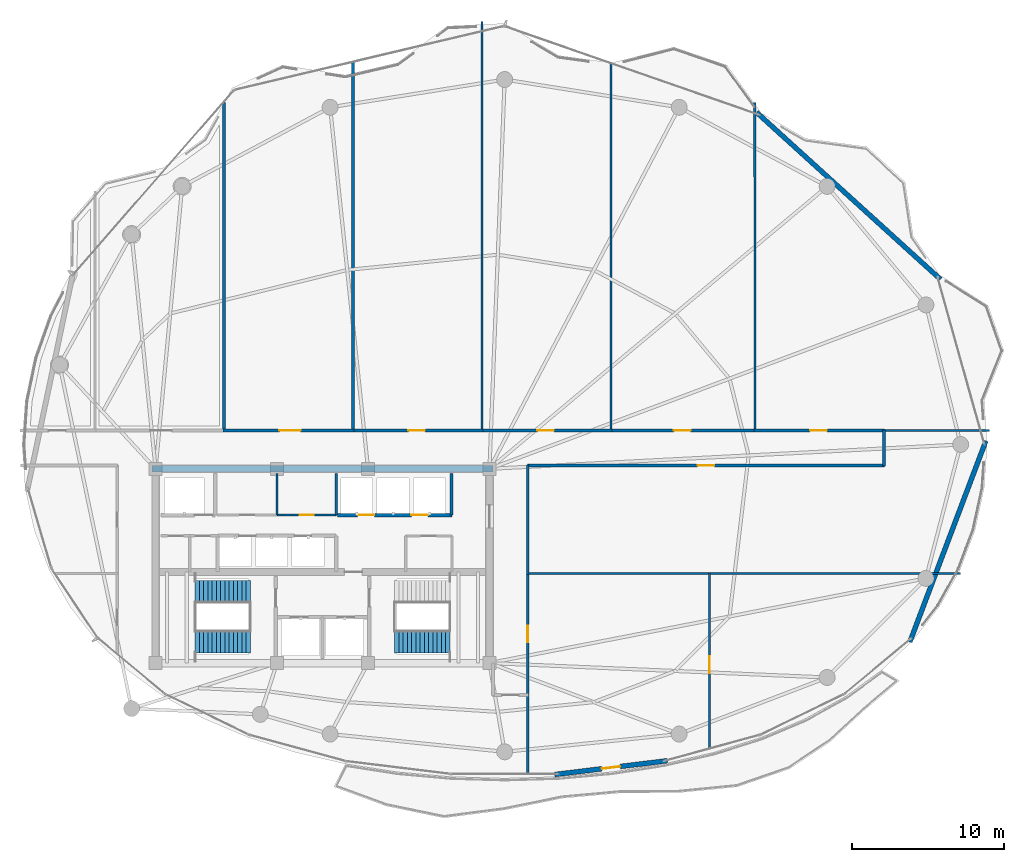
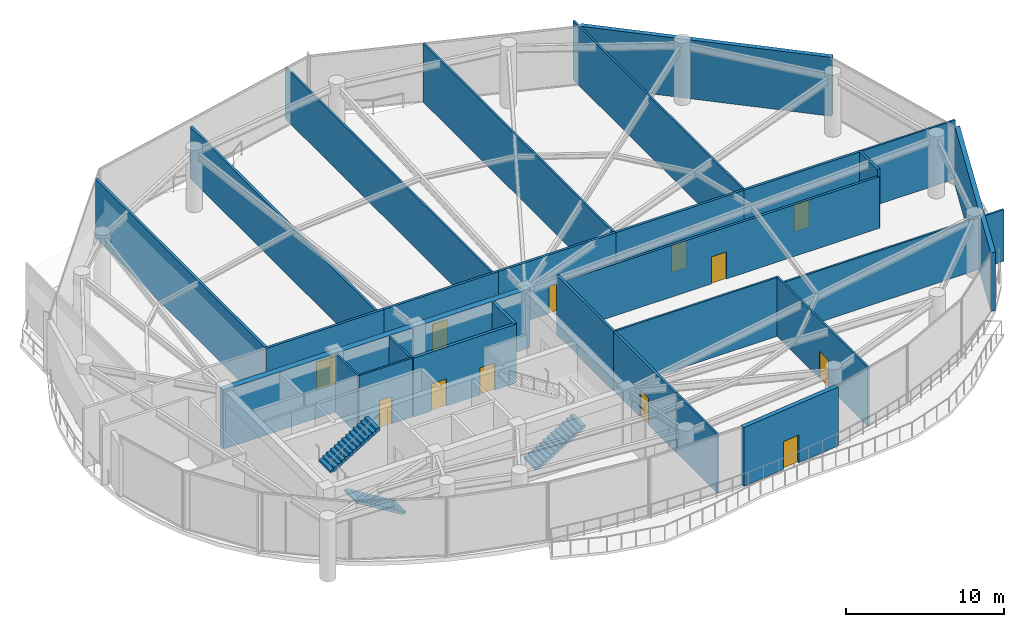
# One storey, part 24 of 28: 28 walls, 12 doors, 3 stair flights, 12 openings, 2 elements without a shape of their own.
"""IFC4 building model written with IfcOpenShell, lengths in metres."""

from ifc_helpers import new_model, si_unit, direction, frame, frame_2d, origin, place, context, subcontext, project, spatial, polyline, rectangle, outline, extrude, material, layer, layer_set, type_object, element, fill, aggregate, save


model = new_model("IFC4")

# Units and contexts
model_context = context("Model", 3, precision=1e-05, world=origin(), true_north=direction((0.0, 1.0)))
body_context = subcontext(model_context, "Body", "Model", "MODEL_VIEW")
ifc_project = project(units=[si_unit("LENGTHUNIT", "METRE"), si_unit("AREAUNIT", "SQUARE_METRE"), si_unit("VOLUMEUNIT", "CUBIC_METRE"), si_unit("PLANEANGLEUNIT", "RADIAN"), si_unit("MASSUNIT", "GRAM", prefix="KILO")], contexts=[model_context])

# Site, building, storey
site_placement = place(None, origin())
site = spatial("IfcSite", under=ifc_project, at=site_placement, CompositionType="ELEMENT")
building_placement = place(site_placement, origin())
building = spatial("IfcBuilding", under=site, at=building_placement, Name="Kazevale Care Tower and Concert Hall", CompositionType="ELEMENT")
storey_placement = place(building_placement, frame((0.0, 0.0, 190.800048828125)))
storey = spatial("IfcBuildingStorey", under=building, at=storey_placement, Name="L50", CompositionType="ELEMENT", Elevation=190.800048828125)

# Wall, opening, door
ifc_material_1 = material(Name="Acoustic Gypsum on Steel Stud", Category="steel")
ifc_layer_1 = layer(ifc_material_1, 0.139892578125)
ifc_layer_set_1 = layer_set([ifc_layer_1], Name="Acoustic Gypsum on Steel Stud")
wall_type_1 = type_object("IfcWallType", Name="Acoustic Care & Suite Partition 140", PredefinedType="PARTITIONING", material=ifc_layer_set_1)
wall_1_placement = place(storey_placement, frame((30.0, 33.35009765625, 0.0), z_axis=(0.0, 0.0, 1.0), x_axis=(1.0, 0.0, 0.0)))
wall_1 = element("IfcWall", 1, at=wall_1_placement, inside=storey, type_object=wall_type_1, Name="wall:L50:c_rpl2_s", PredefinedType="PARTITIONING", context=body_context, shape_type="SweptSolid", body=[
    extrude(rectangle(XDim=3.919921875, YDim=0.139892578125, at=frame_2d((1.9599609375, 0.0))), origin(), (0.0, 0.0, 1.0), 4.56005859375),
])
opening_1_placement = place(wall_1_placement, frame((1.5, 0.0, 0.0)))
opening_1 = element("IfcOpeningElement", 2, at=opening_1_placement, cuts=wall_1, Name="Opening ID-900", PredefinedType="OPENING", context=body_context, shape_type="SweptSolid", body=[
    extrude(rectangle(XDim=0.919921875, YDim=2.10009765625, at=frame_2d((0.4599609375, 1.050048828125))), frame((0.0, 0.079833984375, 0.0), z_axis=(0.0, -1.0, 0.0), x_axis=(1.0, 0.0, 0.0)), (0.0, 0.0, 1.0), 0.159912109375),
])
ifc_material_2 = material(Name="Oak Timber Fire Leaf", Category="wood")
door_type_1 = type_object("IfcDoorType", Name="Bathroom & Service Door 920x2100", OperationType="NOTDEFINED", PredefinedType="DOOR", material=ifc_material_2)
door_1_placement = place(opening_1_placement, origin())
door_1 = element("IfcDoor", 3, at=door_1_placement, inside=storey, type_object=door_type_1, Name="door:L50:d_rpl2", OperationType="SINGLE_SWING_RIGHT", OverallHeight=2.10009765625, OverallWidth=0.919921875, PredefinedType="DOOR", context=body_context, shape_type="SweptSolid", body=[
    extrude(rectangle(XDim=0.919921875, YDim=2.10009765625, at=frame_2d((0.4599609375, 1.050048828125))), frame((0.0, 0.02490234375, 0.0), z_axis=(0.0, -1.0, 0.0), x_axis=(1.0, 0.0, 0.0)), (0.0, 0.0, 1.0), 0.050048828125),
])
fill(opening_1, door_1)

# Walls
for number, where, z_axis, x_axis, name in (
    (4, (30.0, 33.35009765625, 0.0), (0.0, 0.0, 1.0), (0.0, 1.0, 0.0), "wall:L50:c_rpl_m"),
    (5, (33.89990234375, 33.35009765625, 0.0), (0.0, 0.0, 1.0), (0.0, 1.0, 0.0), "wall:L50:c_rpl_e"),
):
    element("IfcWall", number, at=place(storey_placement, frame(where, z_axis=z_axis, x_axis=x_axis)), inside=storey, type_object=wall_type_1, Name=name, PredefinedType="PARTITIONING", context=body_context, shape_type="SweptSolid", body=[
        extrude(rectangle(XDim=2.75, YDim=0.139892578125, at=frame_2d((1.375, 0.0))), origin(), (0.0, 0.0, 1.0), 4.56005859375),
    ])
wall_2_placement = place(storey_placement, frame((43.5, 65.881103515625, 0.0), z_axis=(0.0, 0.0, 1.0), x_axis=(0.0, -1.0, 0.0)))
element("IfcWall", 6, at=wall_2_placement, inside=storey, type_object=wall_type_1, Name="wall:L50:auto_020", PredefinedType="PARTITIONING", context=body_context, shape_type="SweptSolid", body=[
    extrude(rectangle(XDim=26.986083984375, YDim=0.139892578125, at=frame_2d((13.4931640625, 0.0))), origin(), (0.0, 0.0, 1.0), 4.005859375),
])
wall_3_placement = place(storey_placement, frame((52.0, 63.106689453125, 0.0), z_axis=(0.0, 0.0, 1.0), x_axis=(0.0, -1.0, 0.0)))
element("IfcWall", 7, at=wall_3_placement, inside=storey, type_object=wall_type_1, Name="wall:L50:auto_021", PredefinedType="PARTITIONING", context=body_context, shape_type="SweptSolid", body=[
    extrude(rectangle(XDim=24.211669921875, YDim=0.139892578125, at=frame_2d((12.10595703125, 0.0))), origin(), (0.0, 0.0, 1.0), 4.56005859375),
])
wall_4_placement = place(storey_placement, frame((61.47900390625, 60.527099609375, 0.0), z_axis=(0.0, 0.0, 1.0), x_axis=(0.000970599396, -0.999999528968, 0.0)))
element("IfcWall", 8, at=wall_4_placement, inside=storey, type_object=wall_type_1, Name="wall:L50:auto_022", PredefinedType="PARTITIONING", context=body_context, shape_type="SweptSolid", body=[
    extrude(rectangle(XDim=21.632080078125, YDim=0.139892578125, at=frame_2d((10.81591796875, 0.0))), origin(), (0.0, 0.0, 1.0), 4.56005859375),
])
wall_5_placement = place(storey_placement, frame((76.93603515625, 38.925048828125, 0.0), z_axis=(0.0, 0.0, 1.0), x_axis=(-1.0, 0.0, 0.0)))
element("IfcWall", 9, at=wall_5_placement, inside=storey, type_object=wall_type_1, Name="wall:L50:auto_023", PredefinedType="PARTITIONING", context=body_context, shape_type="SweptSolid", body=[
    extrude(rectangle(XDim=7.0009765625, YDim=0.139892578125, at=frame_2d((3.50048828125, 0.0))), origin(), (0.0, 0.0, 1.0), 4.56005859375),
])
wall_6_placement = place(storey_placement, frame((46.4951171875, 29.5, 0.0), z_axis=(0.0, 0.0, 1.0), x_axis=(1.0, 0.0, 0.0)))
element("IfcWall", 10, at=wall_6_placement, inside=storey, type_object=wall_type_1, Name="wall:L50:auto_024", PredefinedType="PARTITIONING", context=body_context, shape_type="SweptSolid", body=[
    extrude(rectangle(XDim=12.034912109375, YDim=0.139892578125, at=frame_2d((6.017578125, 0.0))), origin(), (0.0, 0.0, 1.0), 4.56005859375),
])

# Wall, opening, door
wall_7_placement = place(storey_placement, frame((58.5, 29.530029296875, 0.0), z_axis=(0.0, 0.0, 1.0), x_axis=(0.0, -1.0, 0.0)))
wall_7 = element("IfcWall", 11, at=wall_7_placement, inside=storey, type_object=wall_type_1, Name="wall:L50:auto_025", PredefinedType="PARTITIONING", context=body_context, shape_type="SweptSolid", body=[
    extrude(rectangle(XDim=11.561279296875, YDim=0.139892578125, at=frame_2d((5.78076171875, 0.0))), origin(), (0.0, 0.0, 1.0), 4.56005859375),
])
opening_2_placement = place(wall_7_placement, frame((5.489990234375, 0.0, 0.0)))
opening_2 = element("IfcOpeningElement", 12, at=opening_2_placement, cuts=wall_7, Name="Opening ID-1100", PredefinedType="OPENING", context=body_context, shape_type="SweptSolid", body=[
    extrude(rectangle(XDim=1.10009765625, YDim=2.10009765625, at=frame_2d((0.550048828125, 1.050048828125))), frame((0.0, 0.079833984375, 0.0), z_axis=(0.0, -1.0, 0.0), x_axis=(1.0, 0.0, 0.0)), (0.0, 0.0, 1.0), 0.159912109375),
])
door_type_2 = type_object("IfcDoorType", Name="Care Bedroom Accessible Door 1100x2100", OperationType="NOTDEFINED", PredefinedType="DOOR", material=ifc_material_2)
door_2_placement = place(opening_2_placement, origin())
door_2 = element("IfcDoor", 13, at=door_2_placement, inside=storey, type_object=door_type_2, Name="door:L50:ad_025", OperationType="SINGLE_SWING_LEFT", OverallHeight=2.10009765625, OverallWidth=1.10009765625, PredefinedType="DOOR", context=body_context, shape_type="SweptSolid", body=[
    extrude(rectangle(XDim=1.10009765625, YDim=2.10009765625, at=frame_2d((0.550048828125, 1.050048828125))), frame((0.0, 0.02490234375, 0.0), z_axis=(0.0, -1.0, 0.0), x_axis=(1.0, 0.0, 0.0)), (0.0, 0.0, 1.0), 0.050048828125),
])
fill(opening_2, door_2)

# Walls
wall_8_placement = place(storey_placement, frame((46.52490234375, 16.294921875, 0.0), z_axis=(0.0, 0.0, 1.0), x_axis=(0.0, 1.0, 0.0)))
element("IfcWall", 14, at=wall_8_placement, inside=storey, type_object=wall_type_1, Name="wall:L50:auto_026", PredefinedType="PARTITIONING", context=body_context, shape_type="SweptSolid", body=[
    extrude(rectangle(XDim=5.27001953125, YDim=0.139892578125, at=frame_2d((2.635009765625, 0.0))), origin(), (0.0, 0.0, 1.0), 4.56005859375),
])
wall_9_placement = place(storey_placement, frame((75.051025390625, 29.5, 0.0), z_axis=(0.0, 0.0, 1.0), x_axis=(-1.0, 0.0, 0.0)))
element("IfcWall", 15, at=wall_9_placement, inside=storey, type_object=wall_type_1, Name="wall:L50:auto_027", PredefinedType="PARTITIONING", context=body_context, shape_type="SweptSolid", body=[
    extrude(rectangle(XDim=16.615966796875, YDim=0.139892578125, at=frame_2d((8.30810546875, 0.0))), origin(), (0.0, 0.0, 1.0), 4.005859375),
])
ifc_material_3 = material(Name="Concrete C50", Category="concrete")
ifc_layer_2 = layer(ifc_material_3, 0.449951171875)
ifc_layer_set_2 = layer_set([ifc_layer_2], Name="Concrete C50")
wall_type_2 = type_object("IfcWallType", Name="Core Shear Wall 450 C50", PredefinedType="SHEAR", material=ifc_layer_set_2)
wall_10_placement = place(storey_placement, frame((21.77490234375, 36.39990234375, 0.0), z_axis=(0.0, 0.0, 1.0), x_axis=(1.0, 0.0, 0.0)))
element("IfcWall", 16, at=wall_10_placement, inside=storey, type_object=wall_type_2, Name="wall:L50:core:N", PredefinedType="SHEAR", context=body_context, shape_type="SweptSolid", body=[
    extrude(rectangle(XDim=22.4501953125, YDim=0.449951171875, at=frame_2d((11.22509765625, 0.0))), origin(), (0.0, 0.0, 1.0), 4.56005859375),
])

# Wall, openings, doors
ifc_material_4 = material(Name="Concrete C40", Category="concrete")
ifc_layer_3 = layer(ifc_material_4, 0.219970703125)
ifc_layer_set_3 = layer_set([ifc_layer_3], Name="Concrete C40")
wall_type_3 = type_object("IfcWallType", Name="Elevator Hoistway Shaft Wall 220", PredefinedType="SOLIDWALL", material=ifc_layer_set_3)
wall_11_placement = place(storey_placement, frame((33.97998046875, 33.35009765625, 0.0), z_axis=(0.0, 0.0, 1.0), x_axis=(1.0, 0.0, 0.0)))
wall_11 = element("IfcWall", 17, at=wall_11_placement, inside=storey, type_object=wall_type_3, Name="wall:L50:c_pm_s", PredefinedType="SOLIDWALL", context=body_context, shape_type="SweptSolid", body=[
    extrude(rectangle(XDim=7.5400390625, YDim=0.219970703125, at=frame_2d((3.77001953125, 0.0))), origin(), (0.0, 0.0, 1.0), 4.56005859375),
])
opening_3_placement = place(wall_11_placement, frame((1.3349609375, 0.0, 0.0)))
opening_3 = element("IfcOpeningElement", 18, at=opening_3_placement, cuts=wall_11, Name="Opening LD-PAX", PredefinedType="OPENING", context=body_context, shape_type="SweptSolid", body=[
    extrude(rectangle(XDim=1.10009765625, YDim=2.10009765625, at=frame_2d((0.550048828125, 1.050048828125))), frame((0.0, 0.119873046875, 0.0), z_axis=(0.0, -1.0, 0.0), x_axis=(1.0, 0.0, 0.0)), (0.0, 0.0, 1.0), 0.239990234375),
])
opening_4_placement = place(wall_11_placement, frame((4.87890625, 0.0, 0.0)))
opening_4 = element("IfcOpeningElement", 19, at=opening_4_placement, cuts=wall_11, Name="Opening LD-PAX", PredefinedType="OPENING", context=body_context, shape_type="SweptSolid", body=[
    extrude(rectangle(XDim=1.10009765625, YDim=2.10009765625, at=frame_2d((0.550048828125, 1.050048828125))), frame((0.0, 0.119873046875, 0.0), z_axis=(0.0, -1.0, 0.0), x_axis=(1.0, 0.0, 0.0)), (0.0, 0.0, 1.0), 0.239990234375),
])
ifc_material_5 = material(Name="Stainless Steel 316", Category="steel")
door_type_3 = type_object("IfcDoorType", Name="Passenger Lift Sliding Landing Door 1100x2100", OperationType="NOTDEFINED", PredefinedType="DOOR", material=ifc_material_5)
door_3_placement = place(opening_3_placement, origin())
door_3 = element("IfcDoor", 20, at=door_3_placement, inside=storey, type_object=door_type_3, Name="door:L50:ld_pm1", OperationType="SLIDING_TO_LEFT", OverallHeight=2.10009765625, OverallWidth=1.10009765625, PredefinedType="DOOR", context=body_context, shape_type="SweptSolid", body=[
    extrude(rectangle(XDim=1.10009765625, YDim=2.10009765625, at=frame_2d((0.550048828125, 1.050048828125))), frame((0.0, 0.02490234375, 0.0), z_axis=(0.0, -1.0, 0.0), x_axis=(1.0, 0.0, 0.0)), (0.0, 0.0, 1.0), 0.050048828125),
])
fill(opening_3, door_3)
door_4_placement = place(opening_4_placement, origin())
door_4 = element("IfcDoor", 21, at=door_4_placement, inside=storey, type_object=door_type_3, Name="door:L50:ld_pm2", OperationType="SLIDING_TO_RIGHT", OverallHeight=2.10009765625, OverallWidth=1.10009765625, PredefinedType="DOOR", context=body_context, shape_type="SweptSolid", body=[
    extrude(rectangle(XDim=1.10009765625, YDim=2.10009765625, at=frame_2d((0.550048828125, 1.050048828125))), frame((0.0, 0.02490234375, 0.0), z_axis=(0.0, -1.0, 0.0), x_axis=(1.0, 0.0, 0.0)), (0.0, 0.0, 1.0), 0.050048828125),
])
fill(opening_4, door_4)

# Wall
wall_12_placement = place(storey_placement, frame((41.5, 33.35009765625, 0.0), z_axis=(0.0, 0.0, 1.0), x_axis=(0.0, 1.0, 0.0)))
element("IfcWall", 22, at=wall_12_placement, inside=storey, type_object=wall_type_3, Name="wall:L50:c_pm_e", PredefinedType="SOLIDWALL", context=body_context, shape_type="SweptSolid", body=[
    extrude(rectangle(XDim=2.75, YDim=0.219970703125, at=frame_2d((1.375, 0.0))), origin(), (0.0, 0.0, 1.0), 4.56005859375),
])

# Wall, opening, door
ifc_material_6 = material(Name="Concrete C40 and Acoustic Gypsum", Category="concrete")
ifc_layer_4 = layer(ifc_material_6, 0.179931640625)
ifc_layer_set_4 = layer_set([ifc_layer_4], Name="Concrete C40 and Acoustic Gypsum")
wall_type_4 = type_object("IfcWallType", Name="Fire-Rated Corridor & Party Wall 180", PredefinedType="PARTITIONING", material=ifc_layer_set_4)
wall_13_placement = place(storey_placement, frame((26.43505859375, 38.925048828125, 0.0), z_axis=(0.0, 0.0, 1.0), x_axis=(1.0, 0.0, 0.0)))
wall_13 = element("IfcWall", 23, at=wall_13_placement, inside=storey, type_object=wall_type_4, Name="wall:L50:auto_003", PredefinedType="PARTITIONING", context=body_context, shape_type="SweptSolid", body=[
    extrude(rectangle(XDim=8.6298828125, YDim=0.179931640625, at=frame_2d((4.31494140625, 0.0))), origin(), (0.0, 0.0, 1.0), 4.56005859375),
])
opening_5_placement = place(wall_13_placement, frame((3.715087890625, 0.0, 0.0)))
opening_5 = element("IfcOpeningElement", 24, at=opening_5_placement, cuts=wall_13, Name="Opening ID-1400D", PredefinedType="OPENING", context=body_context, shape_type="SweptSolid", body=[
    extrude(rectangle(XDim=1.39990234375, YDim=2.14990234375, at=frame_2d((0.699951171875, 1.074951171875))), frame((0.0, 0.099853515625, 0.0), z_axis=(0.0, -1.0, 0.0), x_axis=(1.0, 0.0, 0.0)), (0.0, 0.0, 1.0), 0.199951171875),
])
door_type_4 = type_object("IfcDoorType", Name="Double Lounge & Clinic Door 1400x2150", OperationType="NOTDEFINED", PredefinedType="DOOR", material=ifc_material_2)
door_5_placement = place(opening_5_placement, origin())
door_5 = element("IfcDoor", 25, at=door_5_placement, inside=storey, type_object=door_type_4, Name="door:L50:ad_003", OperationType="SINGLE_SWING_LEFT", OverallHeight=2.14990234375, OverallWidth=1.39990234375, PredefinedType="DOOR", context=body_context, shape_type="SweptSolid", body=[
    extrude(rectangle(XDim=1.39990234375, YDim=2.14990234375, at=frame_2d((0.699951171875, 1.074951171875))), frame((0.0, 0.02490234375, 0.0), z_axis=(0.0, -1.0, 0.0), x_axis=(1.0, 0.0, 0.0)), (0.0, 0.0, 1.0), 0.050048828125),
])
fill(opening_5, door_5)

wall_14_placement = place(storey_placement, frame((34.93505859375, 38.925048828125, 0.0), z_axis=(0.0, 0.0, 1.0), x_axis=(1.0, 0.0, 0.0)))
wall_14 = element("IfcWall", 26, at=wall_14_placement, inside=storey, type_object=wall_type_4, Name="wall:L50:auto_004", PredefinedType="PARTITIONING", context=body_context, shape_type="SweptSolid", body=[
    extrude(rectangle(XDim=8.6298828125, YDim=0.179931640625, at=frame_2d((4.31494140625, 0.0))), origin(), (0.0, 0.0, 1.0), 4.56005859375),
])
opening_6_placement = place(wall_14_placement, frame((3.715087890625, 0.0, 0.0)))
opening_6 = element("IfcOpeningElement", 27, at=opening_6_placement, cuts=wall_14, Name="Opening ID-1100", PredefinedType="OPENING", context=body_context, shape_type="SweptSolid", body=[
    extrude(rectangle(XDim=1.10009765625, YDim=2.10009765625, at=frame_2d((0.550048828125, 1.050048828125))), frame((0.0, 0.099853515625, 0.0), z_axis=(0.0, -1.0, 0.0), x_axis=(1.0, 0.0, 0.0)), (0.0, 0.0, 1.0), 0.199951171875),
])
door_6_placement = place(opening_6_placement, origin())
door_6 = element("IfcDoor", 28, at=door_6_placement, inside=storey, type_object=door_type_2, Name="door:L50:ad_004", OperationType="SINGLE_SWING_LEFT", OverallHeight=2.10009765625, OverallWidth=1.10009765625, PredefinedType="DOOR", context=body_context, shape_type="SweptSolid", body=[
    extrude(rectangle(XDim=1.10009765625, YDim=2.10009765625, at=frame_2d((0.550048828125, 1.050048828125))), frame((0.0, 0.02490234375, 0.0), z_axis=(0.0, -1.0, 0.0), x_axis=(1.0, 0.0, 0.0)), (0.0, 0.0, 1.0), 0.050048828125),
])
fill(opening_6, door_6)

wall_15_placement = place(storey_placement, frame((43.43505859375, 38.925048828125, 0.0), z_axis=(0.0, 0.0, 1.0), x_axis=(1.0, 0.0, 0.0)))
wall_15 = element("IfcWall", 29, at=wall_15_placement, inside=storey, type_object=wall_type_4, Name="wall:L50:auto_005", PredefinedType="PARTITIONING", context=body_context, shape_type="SweptSolid", body=[
    extrude(rectangle(XDim=8.6298828125, YDim=0.179931640625, at=frame_2d((4.31494140625, 0.0))), origin(), (0.0, 0.0, 1.0), 4.56005859375),
])
opening_7_placement = place(wall_15_placement, frame((3.715087890625, 0.0, 0.0)))
opening_7 = element("IfcOpeningElement", 30, at=opening_7_placement, cuts=wall_15, Name="Opening ID-1100", PredefinedType="OPENING", context=body_context, shape_type="SweptSolid", body=[
    extrude(rectangle(XDim=1.10009765625, YDim=2.10009765625, at=frame_2d((0.550048828125, 1.050048828125))), frame((0.0, 0.099853515625, 0.0), z_axis=(0.0, -1.0, 0.0), x_axis=(1.0, 0.0, 0.0)), (0.0, 0.0, 1.0), 0.199951171875),
])
door_7_placement = place(opening_7_placement, origin())
door_7 = element("IfcDoor", 31, at=door_7_placement, inside=storey, type_object=door_type_2, Name="door:L50:ad_005", OperationType="SINGLE_SWING_LEFT", OverallHeight=2.10009765625, OverallWidth=1.10009765625, PredefinedType="DOOR", context=body_context, shape_type="SweptSolid", body=[
    extrude(rectangle(XDim=1.10009765625, YDim=2.10009765625, at=frame_2d((0.550048828125, 1.050048828125))), frame((0.0, 0.02490234375, 0.0), z_axis=(0.0, -1.0, 0.0), x_axis=(1.0, 0.0, 0.0)), (0.0, 0.0, 1.0), 0.050048828125),
])
fill(opening_7, door_7)

wall_16_placement = place(storey_placement, frame((51.93505859375, 38.925048828125, 0.0), z_axis=(0.0, 0.0, 1.0), x_axis=(1.0, 0.0, 0.0)))
wall_16 = element("IfcWall", 32, at=wall_16_placement, inside=storey, type_object=wall_type_4, Name="wall:L50:auto_006", PredefinedType="PARTITIONING", context=body_context, shape_type="SweptSolid", body=[
    extrude(rectangle(XDim=9.6298828125, YDim=0.179931640625, at=frame_2d((4.81494140625, 0.0))), origin(), (0.0, 0.0, 1.0), 4.56005859375),
])
opening_8_placement = place(wall_16_placement, frame((4.215087890625, 0.0, 0.0)))
opening_8 = element("IfcOpeningElement", 33, at=opening_8_placement, cuts=wall_16, Name="Opening ID-1100", PredefinedType="OPENING", context=body_context, shape_type="SweptSolid", body=[
    extrude(rectangle(XDim=1.10009765625, YDim=2.10009765625, at=frame_2d((0.550048828125, 1.050048828125))), frame((0.0, 0.099853515625, 0.0), z_axis=(0.0, -1.0, 0.0), x_axis=(1.0, 0.0, 0.0)), (0.0, 0.0, 1.0), 0.199951171875),
])
door_8_placement = place(opening_8_placement, origin())
door_8 = element("IfcDoor", 34, at=door_8_placement, inside=storey, type_object=door_type_2, Name="door:L50:ad_006", OperationType="SINGLE_SWING_LEFT", OverallHeight=2.10009765625, OverallWidth=1.10009765625, PredefinedType="DOOR", context=body_context, shape_type="SweptSolid", body=[
    extrude(rectangle(XDim=1.10009765625, YDim=2.10009765625, at=frame_2d((0.550048828125, 1.050048828125))), frame((0.0, 0.02490234375, 0.0), z_axis=(0.0, -1.0, 0.0), x_axis=(1.0, 0.0, 0.0)), (0.0, 0.0, 1.0), 0.050048828125),
])
fill(opening_8, door_8)

wall_17_placement = place(storey_placement, frame((61.43505859375, 38.925048828125, 0.0), z_axis=(0.0, 0.0, 1.0), x_axis=(1.0, 0.0, 0.0)))
wall_17 = element("IfcWall", 35, at=wall_17_placement, inside=storey, type_object=wall_type_4, Name="wall:L50:auto_007", PredefinedType="PARTITIONING", context=body_context, shape_type="SweptSolid", body=[
    extrude(rectangle(XDim=8.594970703125, YDim=0.179931640625, at=frame_2d((4.29736328125, 0.0))), origin(), (0.0, 0.0, 1.0), 4.56005859375),
])
opening_9_placement = place(wall_17_placement, frame((3.697998046875, 0.0, 0.0)))
opening_9 = element("IfcOpeningElement", 36, at=opening_9_placement, cuts=wall_17, Name="Opening ID-1100", PredefinedType="OPENING", context=body_context, shape_type="SweptSolid", body=[
    extrude(rectangle(XDim=1.10009765625, YDim=2.10009765625, at=frame_2d((0.550048828125, 1.050048828125))), frame((0.0, 0.099853515625, 0.0), z_axis=(0.0, -1.0, 0.0), x_axis=(1.0, 0.0, 0.0)), (0.0, 0.0, 1.0), 0.199951171875),
])
door_9_placement = place(opening_9_placement, origin())
door_9 = element("IfcDoor", 37, at=door_9_placement, inside=storey, type_object=door_type_2, Name="door:L50:ad_007", OperationType="SINGLE_SWING_LEFT", OverallHeight=2.10009765625, OverallWidth=1.10009765625, PredefinedType="DOOR", context=body_context, shape_type="SweptSolid", body=[
    extrude(rectangle(XDim=1.10009765625, YDim=2.10009765625, at=frame_2d((0.550048828125, 1.050048828125))), frame((0.0, 0.02490234375, 0.0), z_axis=(0.0, -1.0, 0.0), x_axis=(1.0, 0.0, 0.0)), (0.0, 0.0, 1.0), 0.050048828125),
])
fill(opening_9, door_9)

wall_18_placement = place(storey_placement, frame((46.52490234375, 29.56494140625, 0.0), z_axis=(0.0, 0.0, 1.0), x_axis=(0.0, -1.0, 0.0)))
wall_18 = element("IfcWall", 38, at=wall_18_placement, inside=storey, type_object=wall_type_4, Name="wall:L50:auto_008", PredefinedType="PARTITIONING", context=body_context, shape_type="SweptSolid", body=[
    extrude(rectangle(XDim=8.094970703125, YDim=0.179931640625, at=frame_2d((4.04736328125, 0.0))), origin(), (0.0, 0.0, 1.0), 4.56005859375),
])
opening_10_placement = place(wall_18_placement, frame((3.498046875, 0.0, 0.0)))
opening_10 = element("IfcOpeningElement", 39, at=opening_10_placement, cuts=wall_18, Name="Opening ID-1100", PredefinedType="OPENING", context=body_context, shape_type="SweptSolid", body=[
    extrude(rectangle(XDim=1.10009765625, YDim=2.10009765625, at=frame_2d((0.550048828125, 1.050048828125))), frame((0.0, 0.099853515625, 0.0), z_axis=(0.0, -1.0, 0.0), x_axis=(1.0, 0.0, 0.0)), (0.0, 0.0, 1.0), 0.199951171875),
])
door_10_placement = place(opening_10_placement, origin())
door_10 = element("IfcDoor", 40, at=door_10_placement, inside=storey, type_object=door_type_2, Name="door:L50:ad_008", OperationType="SINGLE_SWING_LEFT", OverallHeight=2.10009765625, OverallWidth=1.10009765625, PredefinedType="DOOR", context=body_context, shape_type="SweptSolid", body=[
    extrude(rectangle(XDim=1.10009765625, YDim=2.10009765625, at=frame_2d((0.550048828125, 1.050048828125))), frame((0.0, 0.02490234375, 0.0), z_axis=(0.0, -1.0, 0.0), x_axis=(1.0, 0.0, 0.0)), (0.0, 0.0, 1.0), 0.050048828125),
])
fill(opening_10, door_10)

wall_19_placement = place(storey_placement, frame((70.030029296875, 36.625, 0.0), z_axis=(0.0, 0.0, 1.0), x_axis=(-1.0, 0.0, 0.0)))
wall_19 = element("IfcWall", 41, at=wall_19_placement, inside=storey, type_object=wall_type_4, Name="wall:L50:auto_009", PredefinedType="PARTITIONING", context=body_context, shape_type="SweptSolid", body=[
    extrude(rectangle(XDim=23.534912109375, YDim=0.179931640625, at=frame_2d((11.767578125, 0.0))), origin(), (0.0, 0.0, 1.0), 4.005859375),
])
opening_11_placement = place(wall_19_placement, frame((11.217041015625, 0.0, 0.0)))
opening_11 = element("IfcOpeningElement", 42, at=opening_11_placement, cuts=wall_19, Name="Opening ID-1100", PredefinedType="OPENING", context=body_context, shape_type="SweptSolid", body=[
    extrude(rectangle(XDim=1.10009765625, YDim=2.10009765625, at=frame_2d((0.550048828125, 1.050048828125))), frame((0.0, 0.099853515625, 0.0), z_axis=(0.0, -1.0, 0.0), x_axis=(1.0, 0.0, 0.0)), (0.0, 0.0, 1.0), 0.199951171875),
])
door_11_placement = place(opening_11_placement, origin())
door_11 = element("IfcDoor", 43, at=door_11_placement, inside=storey, type_object=door_type_2, Name="door:L50:ad_009", OperationType="SINGLE_SWING_LEFT", OverallHeight=2.10009765625, OverallWidth=1.10009765625, PredefinedType="DOOR", context=body_context, shape_type="SweptSolid", body=[
    extrude(rectangle(XDim=1.10009765625, YDim=2.10009765625, at=frame_2d((0.550048828125, 1.050048828125))), frame((0.0, 0.02490234375, 0.0), z_axis=(0.0, -1.0, 0.0), x_axis=(1.0, 0.0, 0.0)), (0.0, 0.0, 1.0), 0.050048828125),
])
fill(opening_11, door_11)

# Walls
wall_20_placement = place(storey_placement, frame((46.52490234375, 36.655029296875, 0.0), z_axis=(0.0, 0.0, 1.0), x_axis=(0.0, -1.0, 0.0)))
element("IfcWall", 44, at=wall_20_placement, inside=storey, type_object=wall_type_4, Name="wall:L50:auto_010", PredefinedType="PARTITIONING", context=body_context, shape_type="SweptSolid", body=[
    extrude(rectangle(XDim=7.219970703125, YDim=0.179931640625, at=frame_2d((3.60986328125, 0.0))), origin(), (0.0, 0.0, 1.0), 4.56005859375),
])
wall_21_placement = place(storey_placement, frame((70.0, 38.955078125, 0.0), z_axis=(0.0, 0.0, 1.0), x_axis=(0.0, -1.0, 0.0)))
element("IfcWall", 45, at=wall_21_placement, inside=storey, type_object=wall_type_4, Name="wall:L50:auto_011", PredefinedType="PARTITIONING", context=body_context, shape_type="SweptSolid", body=[
    extrude(rectangle(XDim=2.360107421875, YDim=0.179931640625, at=frame_2d((1.18017578125, 0.0))), origin(), (0.0, 0.0, 1.0), 4.56005859375),
])
wall_22_placement = place(storey_placement, frame((26.5, 60.54296875, 0.0), z_axis=(0.0, 0.0, 1.0), x_axis=(0.0, -1.0, 0.0)))
element("IfcWall", 46, at=wall_22_placement, inside=storey, type_object=wall_type_4, Name="wall:L50:auto_018", PredefinedType="PARTITIONING", context=body_context, shape_type="SweptSolid", body=[
    extrude(rectangle(XDim=21.64794921875, YDim=0.179931640625, at=frame_2d((10.823974609375, 0.0))), origin(), (0.0, 0.0, 1.0), 4.56005859375),
])
wall_23_placement = place(storey_placement, frame((35.0, 63.20068359375, 0.0), z_axis=(0.0, 0.0, 1.0), x_axis=(0.0, -1.0, 0.0)))
element("IfcWall", 47, at=wall_23_placement, inside=storey, type_object=wall_type_4, Name="wall:L50:auto_019", PredefinedType="PARTITIONING", context=body_context, shape_type="SweptSolid", body=[
    extrude(rectangle(XDim=24.3056640625, YDim=0.179931640625, at=frame_2d((12.15283203125, 0.0))), origin(), (0.0, 0.0, 1.0), 4.005859375),
])
ifc_material_7 = material(Name="Concrete C40 with Honed Limestone Cladding", Category="masonry")
ifc_layer_5 = layer(ifc_material_7, 0.320068359375)
ifc_layer_set_5 = layer_set([ifc_layer_5], Name="Concrete C40 with Honed Limestone Cladding")
wall_type_5 = type_object("IfcWallType", Name="Tower Honed Limestone Spandrel Wall 320", PredefinedType="STANDARD", material=ifc_layer_set_5)
wall_24_placement = place(storey_placement, frame((76.7119140625, 38.242919921875, 0.0), z_axis=(0.0, 0.0, 1.0), x_axis=(-0.353659523244, -0.935374225441, 0.0)))
element("IfcWall", 48, at=wall_24_placement, inside=storey, type_object=wall_type_5, Name="wall:cw:L50:f01", PredefinedType="STANDARD", context=body_context, shape_type="SweptSolid", body=[
    extrude(rectangle(XDim=14.171630859375, YDim=0.320068359375, at=frame_2d((7.0859375, 0.0))), origin(), (0.0, 0.0, 1.0), 4.56005859375),
])

# Wall, opening, door
wall_25_placement = place(storey_placement, frame((55.72705078125, 17.1650390625, 0.0), z_axis=(0.0, 0.0, 1.0), x_axis=(-0.992559081031, -0.121763995755, 0.0)))
wall_25 = element("IfcWall", 49, at=wall_25_placement, inside=storey, type_object=wall_type_5, Name="wall:L50:bal_host", PredefinedType="STANDARD", context=body_context, shape_type="SweptSolid", body=[
    extrude(rectangle(XDim=7.49072265625, YDim=0.320068359375, at=frame_2d((3.745361328125, 0.0))), origin(), (0.0, 0.0, 1.0), 4.56005859375),
])
opening_12_placement = place(wall_25_placement, frame((3.14501953125, 0.0, 0.0)))
opening_12 = element("IfcOpeningElement", 50, at=opening_12_placement, cuts=wall_25, Name="Opening BD-1200", PredefinedType="OPENING", context=body_context, shape_type="SweptSolid", body=[
    extrude(rectangle(XDim=1.199951171875, YDim=2.14990234375, at=frame_2d((0.60009765625, 1.074951171875))), frame((0.0, 0.169921875, 0.0), z_axis=(0.0, -1.0, 0.0), x_axis=(1.0, 0.0, 0.0)), (0.0, 0.0, 1.0), 0.340087890625),
])
ifc_material_8 = material(Name="Aluminium 6063-T6 and Low-E Glass", Category="aluminium")
door_type_5 = type_object("IfcDoorType", Name="Sheltered Balcony Glazed Door 1200x2150", OperationType="NOTDEFINED", PredefinedType="DOOR", material=ifc_material_8)
door_12_placement = place(opening_12_placement, origin())
door_12 = element("IfcDoor", 51, at=door_12_placement, inside=storey, type_object=door_type_5, Name="door:L50:BD-1", OperationType="SINGLE_SWING_LEFT", OverallHeight=2.14990234375, OverallWidth=1.199951171875, PredefinedType="DOOR", context=body_context, shape_type="SweptSolid", body=[
    extrude(rectangle(XDim=1.199951171875, YDim=2.14990234375, at=frame_2d((0.60009765625, 1.074951171875))), frame((0.0, 0.02490234375, 0.0), z_axis=(0.0, -1.0, 0.0), x_axis=(1.0, 0.0, 0.0)), (0.0, 0.0, 1.0), 0.050048828125),
])
fill(opening_12, door_12)

# Wall
wall_26_placement = place(storey_placement, frame((61.60205078125, 59.884033203125, 0.0), z_axis=(0.0, 0.0, 1.0), x_axis=(0.740416582554, -0.672148260638, 0.0)))
element("IfcWall", 52, at=wall_26_placement, inside=storey, type_object=wall_type_5, Name="wall:cw:L50:f17", PredefinedType="STANDARD", context=body_context, shape_type="SweptSolid", body=[
    extrude(rectangle(XDim=16.361083984375, YDim=0.320068359375, at=frame_2d((8.1806640625, 0.0))), origin(), (0.0, 0.0, 1.0), 4.56005859375),
])

# Stair, stair flights
stair_type = type_object("IfcStairType", Name="Exit Stair Assembly ST1-S", PredefinedType="HALF_TURN_STAIR", material=ifc_material_4)
stair_1_placement = place(storey_placement, origin())
stair_1 = element("IfcStair", 53, at=stair_1_placement, inside=storey, type_object=stair_type, Name="stair:L50:ST1", PredefinedType="HALF_TURN_STAIR")
ifc_layer_6 = layer(ifc_material_4, 0.159912109375)
ifc_layer_set_6 = layer_set([ifc_layer_6], Name="Concrete C40")
stair_flight_type = type_object("IfcStairFlightType", Name="Exit Stair Flight ST1-S", PredefinedType="STRAIGHT", material=ifc_layer_set_6)
stair_flight_1_placement = place(storey_placement, frame((28.25, 24.9951171875, 0.0), z_axis=(0.0, 0.0, 1.0), x_axis=(-1.0, 0.0, 0.0)))
stair_flight_1 = element("IfcStairFlight", 54, at=stair_flight_1_placement, type_object=stair_flight_type, Name="ST1-S flight 1", NumberOfRisers=14, NumberOfTreads=13, PredefinedType="STRAIGHT", RiserHeight=0.171429, TreadLength=0.28, context=body_context, shape_type="SweptSolid", body=[
    extrude(outline(polyline([(0.0, 0.0), (0.0, 0.17138671875), (0.280029296875, 0.17138671875), (0.280029296875, 0.3427734375), (0.56005859375, 0.3427734375), (0.56005859375, 0.514404296875), (0.840087890625, 0.514404296875), (0.840087890625, 0.685791015625), (1.1201171875, 0.685791015625), (1.1201171875, 0.857177734375), (1.39990234375, 0.857177734375), (1.39990234375, 1.028564453125), (1.679931640625, 1.028564453125), (1.679931640625, 1.199951171875), (1.9599609375, 1.199951171875), (1.9599609375, 1.371337890625), (2.239990234375, 1.371337890625), (2.239990234375, 1.54296875), (2.52001953125, 1.54296875), (2.52001953125, 1.71435546875), (2.800048828125, 1.71435546875), (2.800048828125, 1.8857421875), (3.080078125, 1.8857421875), (3.080078125, 2.05712890625), (3.360107421875, 2.05712890625), (3.360107421875, 2.228515625), (3.639892578125, 2.228515625), (3.639892578125, 2.39990234375), (3.639892578125, 2.041015625), (0.30615234375, 0.0), (0.0, 0.0)])), frame((0.0, 0.7451171875, 0.0), z_axis=(0.0, -1.0, 0.0), x_axis=(1.0, 0.0, 0.0)), (0.0, 0.0, 1.0), 1.489990234375),
])
stair_flight_2_placement = place(storey_placement, frame((24.610107421875, 28.304931640625, 2.39990234375), z_axis=(0.0, 0.0, 1.0), x_axis=(1.0, 0.0, 0.0)))
stair_flight_2 = element("IfcStairFlight", 55, at=stair_flight_2_placement, type_object=stair_flight_type, Name="ST1-S flight 2", NumberOfRisers=14, NumberOfTreads=13, PredefinedType="STRAIGHT", RiserHeight=0.171429, TreadLength=0.28, context=body_context, shape_type="SweptSolid", body=[
    extrude(outline(polyline([(0.0, 0.0), (0.0, 0.17138671875), (0.280029296875, 0.17138671875), (0.280029296875, 0.3427734375), (0.56005859375, 0.3427734375), (0.56005859375, 0.514404296875), (0.840087890625, 0.514404296875), (0.840087890625, 0.685791015625), (1.1201171875, 0.685791015625), (1.1201171875, 0.857177734375), (1.39990234375, 0.857177734375), (1.39990234375, 1.028564453125), (1.679931640625, 1.028564453125), (1.679931640625, 1.199951171875), (1.9599609375, 1.199951171875), (1.9599609375, 1.371337890625), (2.239990234375, 1.371337890625), (2.239990234375, 1.54296875), (2.52001953125, 1.54296875), (2.52001953125, 1.71435546875), (2.800048828125, 1.71435546875), (2.800048828125, 1.8857421875), (3.080078125, 1.8857421875), (3.080078125, 2.05712890625), (3.360107421875, 2.05712890625), (3.360107421875, 2.228515625), (3.639892578125, 2.228515625), (3.639892578125, 2.39990234375), (3.639892578125, 2.041015625), (0.30615234375, 0.0), (0.0, 0.0)])), frame((0.0, 0.7451171875, 0.0), z_axis=(0.0, -1.0, 0.0), x_axis=(1.0, 0.0, 0.0)), (0.0, 0.0, 1.0), 1.489990234375),
])
aggregate(stair_1, [stair_flight_1, stair_flight_2])

# Stair, stair flight
stair_2_placement = place(storey_placement, origin())
stair_2 = element("IfcStair", 56, at=stair_2_placement, inside=storey, type_object=stair_type, Name="stair:L50:ST2", PredefinedType="HALF_TURN_STAIR")
stair_flight_3_placement = place(storey_placement, frame((37.75, 24.9951171875, 0.0), z_axis=(0.0, 0.0, 1.0), x_axis=(1.0, 0.0, 0.0)))
stair_flight_3 = element("IfcStairFlight", 57, at=stair_flight_3_placement, type_object=stair_flight_type, Name="ST1-S flight 1", NumberOfRisers=14, NumberOfTreads=13, PredefinedType="STRAIGHT", RiserHeight=0.171429, TreadLength=0.28, context=body_context, shape_type="SweptSolid", body=[
    extrude(outline(polyline([(0.0, 0.0), (0.0, 0.17138671875), (0.280029296875, 0.17138671875), (0.280029296875, 0.3427734375), (0.56005859375, 0.3427734375), (0.56005859375, 0.514404296875), (0.840087890625, 0.514404296875), (0.840087890625, 0.685791015625), (1.1201171875, 0.685791015625), (1.1201171875, 0.857177734375), (1.39990234375, 0.857177734375), (1.39990234375, 1.028564453125), (1.679931640625, 1.028564453125), (1.679931640625, 1.199951171875), (1.9599609375, 1.199951171875), (1.9599609375, 1.371337890625), (2.239990234375, 1.371337890625), (2.239990234375, 1.54296875), (2.52001953125, 1.54296875), (2.52001953125, 1.71435546875), (2.800048828125, 1.71435546875), (2.800048828125, 1.8857421875), (3.080078125, 1.8857421875), (3.080078125, 2.05712890625), (3.360107421875, 2.05712890625), (3.360107421875, 2.228515625), (3.639892578125, 2.228515625), (3.639892578125, 2.39990234375), (3.639892578125, 2.041015625), (0.30615234375, 0.0), (0.0, 0.0)])), frame((0.0, 0.7451171875, 0.0), z_axis=(0.0, -1.0, 0.0), x_axis=(1.0, 0.0, 0.0)), (0.0, 0.0, 1.0), 1.489990234375),
])
aggregate(stair_2, [stair_flight_3])

save(model, "model.ifc")
